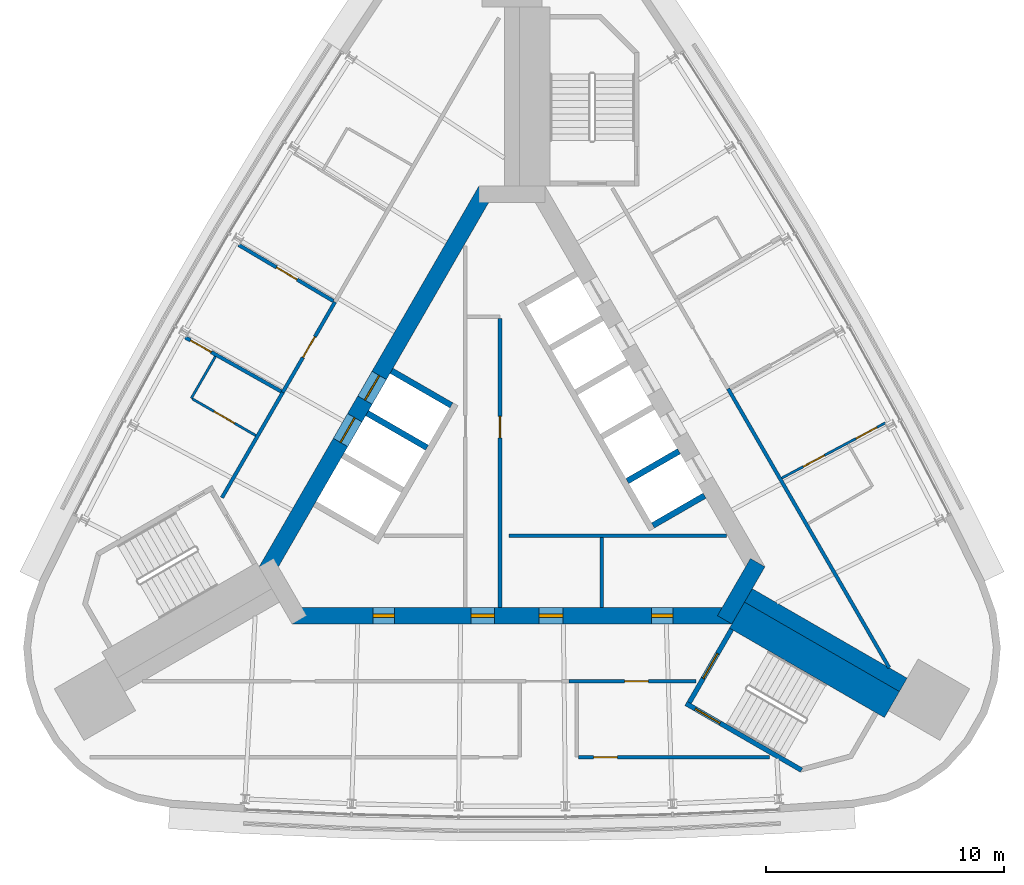
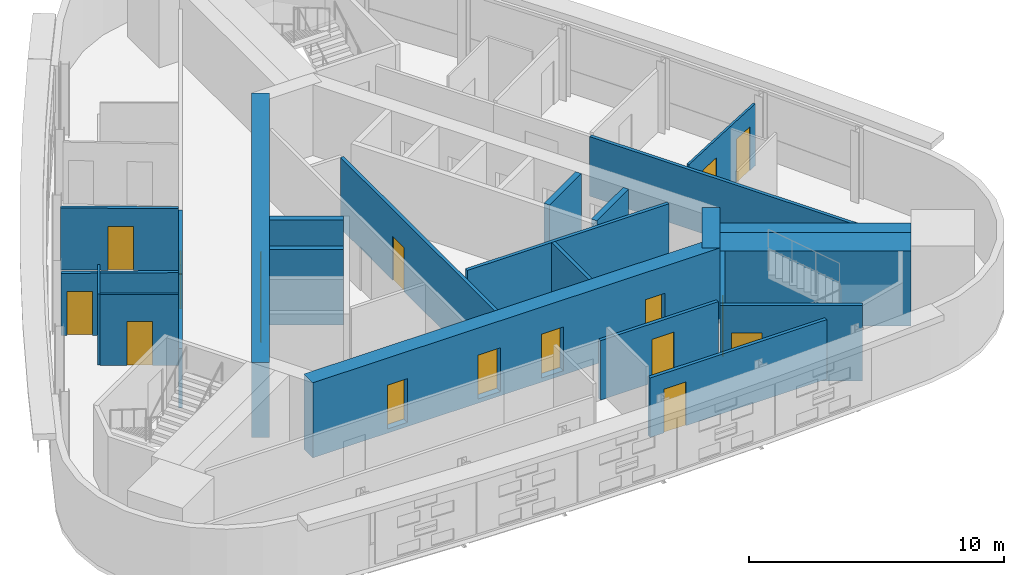
# One storey, part 6 of 9: 24 walls, 17 doors, 17 openings.
"""IFC4 building model written with IfcOpenShell, lengths in metres."""

from ifc_helpers import new_model, si_unit, direction, frame, frame_2d, origin, place, context, subcontext, project, spatial, rectangle, extrude, material, layer, layer_set, type_object, element, fill, save


model = new_model("IFC4")

# Units and contexts
model_context = context("Model", 3, precision=1e-05, world=origin(), true_north=direction((0.0, 1.0)))
body_context = subcontext(model_context, "Body", "Model", "MODEL_VIEW")
ifc_project = project(units=[si_unit("LENGTHUNIT", "METRE"), si_unit("AREAUNIT", "SQUARE_METRE"), si_unit("VOLUMEUNIT", "CUBIC_METRE"), si_unit("PLANEANGLEUNIT", "RADIAN"), si_unit("MASSUNIT", "GRAM", prefix="KILO")], contexts=[model_context])

# Site, building, storey
site_placement = place(None, origin())
site = spatial("IfcSite", under=ifc_project, at=site_placement, CompositionType="ELEMENT")
building_placement = place(site_placement, origin())
building = spatial("IfcBuilding", under=site, at=building_placement, Name="Noor Cloister Tower", CompositionType="ELEMENT")
storey_placement = place(building_placement, frame((0.0, 0.0, 236.39990234375)))
storey = spatial("IfcBuildingStorey", under=building, at=storey_placement, Name="L61", CompositionType="ELEMENT", Elevation=236.39990234375)

# Wall
ifc_material_1 = material(Name="Concrete C60/75", Category="concrete")
ifc_layer_1 = layer(ifc_material_1, 0.64990234375)
ifc_layer_set_1 = layer_set([ifc_layer_1], Name="Buttress wall 650 C60/75")
wall_type_1 = type_object("IfcWallType", Name="Buttress wall 650 C60/75", PredefinedType="SHEAR", material=ifc_layer_set_1)
wall_1_placement = place(storey_placement, frame((9.921630859375, -5.728271484375, -0.199951171875), z_axis=(0.0, 0.0, 1.0), x_axis=(0.866026891245, -0.499997423634, 0.0)))
element("IfcWall", 1, at=wall_1_placement, inside=storey, type_object=wall_type_1, Name="Buttress wall SE L61", PredefinedType="SHEAR", context=body_context, shape_type="SweptSolid", body=[
    extrude(rectangle(XDim=7.50634765625, YDim=0.64990234375, at=frame_2d((3.753173828125, 0.0))), origin(), (0.0, 0.0, 1.0), 3.60009765625),
])

# Wall, opening, door
ifc_material_2 = material(Name="Concrete C30/37", Category="concrete")
ifc_layer_2 = layer(ifc_material_2, 0.14990234375)
ifc_layer_set_2 = layer_set([ifc_layer_2], Name="Core partition 150 C30/37")
wall_type_2 = type_object("IfcWallType", Name="Core partition 150 C30/37", PredefinedType="PARTITIONING", material=ifc_layer_set_2)
wall_2_placement = place(storey_placement, frame((-0.503662109375, 5.896728515625, 0.0), z_axis=(0.0, 0.0, 1.0), x_axis=(0.0, -1.0, 0.0)))
wall_2 = element("IfcWall", 2, at=wall_2_placement, inside=storey, type_object=wall_type_2, Name="Core room partition L61 4", PredefinedType="PARTITIONING", context=body_context, shape_type="SweptSolid", body=[
    extrude(rectangle(XDim=12.125, YDim=0.14990234375, at=frame_2d((6.0625, 0.0))), origin(), (0.0, 0.0, 1.0), 3.400146484375),
])
opening_1_placement = place(wall_2_placement, frame((4.113525390625, 0.0, 0.0)))
opening_1 = element("IfcOpeningElement", 3, at=opening_1_placement, cuts=wall_2, Name="Opening L61-906", PredefinedType="OPENING", context=body_context, shape_type="SweptSolid", body=[
    extrude(rectangle(XDim=0.89990234375, YDim=2.10009765625, at=frame_2d((0.449951171875, 1.050048828125))), frame((0.0, 0.0849609375, 0.0), z_axis=(0.0, -1.0, 0.0), x_axis=(1.0, 0.0, 0.0)), (0.0, 0.0, 1.0), 0.169921875),
])
ifc_material_3 = material(Name="Steel", Category="steel")
door_type_1 = type_object("IfcDoorType", Name="Core door 900 x 2100 FD60", OperationType="SINGLE_SWING_LEFT", PredefinedType="DOOR", material=ifc_material_3)
door_1_placement = place(opening_1_placement, origin())
door_1 = element("IfcDoor", 4, at=door_1_placement, inside=storey, type_object=door_type_1, Name="Core door 6 L61", OperationType="SINGLE_SWING_RIGHT", OverallHeight=2.10009765625, OverallWidth=0.89990234375, PredefinedType="DOOR", context=body_context, shape_type="SweptSolid", body=[
    extrude(rectangle(XDim=0.89990234375, YDim=2.10009765625, at=frame_2d((0.449951171875, 1.050048828125))), frame((0.0, 0.02490234375, 0.0), z_axis=(0.0, -1.0, 0.0), x_axis=(1.0, 0.0, 0.0)), (0.0, 0.0, 1.0), 0.050048828125),
])
fill(opening_1, door_1)

# Walls
wall_3_placement = place(storey_placement, frame((-0.128662109375, -3.228271484375, 0.0), z_axis=(0.0, 0.0, 1.0), x_axis=(1.0, 0.0, 0.0)))
element("IfcWall", 5, at=wall_3_placement, inside=storey, type_object=wall_type_2, Name="Core room partition L61 5", PredefinedType="PARTITIONING", context=body_context, shape_type="SweptSolid", body=[
    extrude(rectangle(XDim=9.13916015625, YDim=0.14990234375, at=frame_2d((4.569580078125, 0.0))), origin(), (0.0, 0.0, 1.0), 3.400146484375),
])
wall_4_placement = place(storey_placement, frame((3.771240234375, -3.30322265625, 0.0), z_axis=(0.0, 0.0, 1.0), x_axis=(0.0, -1.0, 0.0)))
element("IfcWall", 6, at=wall_4_placement, inside=storey, type_object=wall_type_2, Name="Core room partition L61 6", PredefinedType="PARTITIONING", context=body_context, shape_type="SweptSolid", body=[
    extrude(rectangle(XDim=2.925048828125, YDim=0.14990234375, at=frame_2d((1.46240234375, 0.0))), origin(), (0.0, 0.0, 1.0), 3.400146484375),
])

# Wall, openings, doors
ifc_material_4 = material(Name="Concrete C60/75", Category="concrete")
ifc_layer_3 = layer(ifc_material_4, 0.699951171875)
ifc_layer_set_3 = layer_set([ifc_layer_3], Name="Core wall 700 C60/75")
wall_type_3 = type_object("IfcWallType", Name="Core wall 700 C60/75", PredefinedType="SHEAR", material=ifc_layer_set_3)
wall_5_placement = place(storey_placement, frame((-9.228759765625, -6.578125, -0.199951171875), z_axis=(0.0, 0.0, 1.0), x_axis=(1.0, 0.0, 0.0)))
wall_5 = element("IfcWall", 7, at=wall_5_placement, inside=storey, type_object=wall_type_3, Name="Core wall L61 1", PredefinedType="SHEAR", context=body_context, shape_type="SweptSolid", body=[
    extrude(rectangle(XDim=18.45751953125, YDim=0.699951171875, at=frame_2d((9.228759765625, 0.0))), origin(), (0.0, 0.0, 1.0), 3.60009765625),
])
opening_2_placement = place(wall_5_placement, frame((7.5, 0.0, 0.199951171875)))
opening_2 = element("IfcOpeningElement", 8, at=opening_2_placement, cuts=wall_5, Name="Opening L61-901", PredefinedType="OPENING", context=body_context, shape_type="SweptSolid", body=[
    extrude(rectangle(XDim=1.0, YDim=2.10009765625, at=frame_2d((0.5, 1.050048828125))), frame((0.0, 0.35986328125, 0.0), z_axis=(0.0, -1.0, 0.0), x_axis=(1.0, 0.0, 0.0)), (0.0, 0.0, 1.0), 0.719970703125),
])
opening_3_placement = place(wall_5_placement, frame((3.389404296875, 0.0, 0.199951171875)))
opening_3 = element("IfcOpeningElement", 9, at=opening_3_placement, cuts=wall_5, Name="Opening L61-902", PredefinedType="OPENING", context=body_context, shape_type="SweptSolid", body=[
    extrude(rectangle(XDim=0.89990234375, YDim=2.10009765625, at=frame_2d((0.449951171875, 1.050048828125))), frame((0.0, 0.35986328125, 0.0), z_axis=(0.0, -1.0, 0.0), x_axis=(1.0, 0.0, 0.0)), (0.0, 0.0, 1.0), 0.719970703125),
])
opening_4_placement = place(wall_5_placement, frame((10.362548828125, 0.0, 0.199951171875)))
opening_4 = element("IfcOpeningElement", 10, at=opening_4_placement, cuts=wall_5, Name="Opening L61-903", PredefinedType="OPENING", context=body_context, shape_type="SweptSolid", body=[
    extrude(rectangle(XDim=1.0, YDim=2.10009765625, at=frame_2d((0.5, 1.050048828125))), frame((0.0, 0.35986328125, 0.0), z_axis=(0.0, -1.0, 0.0), x_axis=(1.0, 0.0, 0.0)), (0.0, 0.0, 1.0), 0.719970703125),
])
opening_5_placement = place(wall_5_placement, frame((15.07666015625, 0.0, 0.199951171875)))
opening_5 = element("IfcOpeningElement", 11, at=opening_5_placement, cuts=wall_5, Name="Opening L61-904", PredefinedType="OPENING", context=body_context, shape_type="SweptSolid", body=[
    extrude(rectangle(XDim=0.89990234375, YDim=2.10009765625, at=frame_2d((0.449951171875, 1.050048828125))), frame((0.0, 0.35986328125, 0.0), z_axis=(0.0, -1.0, 0.0), x_axis=(1.0, 0.0, 0.0)), (0.0, 0.0, 1.0), 0.719970703125),
])
ifc_material_5 = material(Name="Steel", Category="steel")
door_type_2 = type_object("IfcDoorType", Name="Core door 1000 x 2100 FD120", OperationType="SINGLE_SWING_LEFT", PredefinedType="DOOR", material=ifc_material_5)
door_2_placement = place(opening_2_placement, origin())
door_2 = element("IfcDoor", 12, at=door_2_placement, inside=storey, type_object=door_type_2, Name="Core door 1 L61", OperationType="SINGLE_SWING_LEFT", OverallHeight=2.10009765625, OverallWidth=1.0, PredefinedType="DOOR", context=body_context, shape_type="SweptSolid", body=[
    extrude(rectangle(XDim=1.0, YDim=2.10009765625, at=frame_2d((0.5, 1.050048828125))), frame((0.0, 0.074951171875, 0.0), z_axis=(0.0, -1.0, 0.0), x_axis=(1.0, 0.0, 0.0)), (0.0, 0.0, 1.0), 0.14990234375),
])
fill(opening_2, door_2)
ifc_material_6 = material(Name="Steel", Category="steel")
door_type_3 = type_object("IfcDoorType", Name="Core door 1000 x 2100 FD60", OperationType="SINGLE_SWING_LEFT", PredefinedType="DOOR", material=ifc_material_6)
door_3_placement = place(opening_4_placement, origin())
door_3 = element("IfcDoor", 13, at=door_3_placement, inside=storey, type_object=door_type_3, Name="Core door 3 L61", OperationType="SINGLE_SWING_LEFT", OverallHeight=2.10009765625, OverallWidth=1.0, PredefinedType="DOOR", context=body_context, shape_type="SweptSolid", body=[
    extrude(rectangle(XDim=1.0, YDim=2.10009765625, at=frame_2d((0.5, 1.050048828125))), frame((0.0, 0.074951171875, 0.0), z_axis=(0.0, -1.0, 0.0), x_axis=(1.0, 0.0, 0.0)), (0.0, 0.0, 1.0), 0.14990234375),
])
fill(opening_4, door_3)
ifc_material_7 = material(Name="Steel", Category="steel")
door_type_4 = type_object("IfcDoorType", Name="Core door 900 x 2100 FD120", OperationType="SINGLE_SWING_LEFT", PredefinedType="DOOR", material=ifc_material_7)
door_4_placement = place(opening_3_placement, origin())
door_4 = element("IfcDoor", 14, at=door_4_placement, inside=storey, type_object=door_type_4, Name="Core door 2 L61", OperationType="SINGLE_SWING_RIGHT", OverallHeight=2.10009765625, OverallWidth=0.89990234375, PredefinedType="DOOR", context=body_context, shape_type="SweptSolid", body=[
    extrude(rectangle(XDim=0.89990234375, YDim=2.10009765625, at=frame_2d((0.449951171875, 1.050048828125))), frame((0.0, 0.074951171875, 0.0), z_axis=(0.0, -1.0, 0.0), x_axis=(1.0, 0.0, 0.0)), (0.0, 0.0, 1.0), 0.14990234375),
])
fill(opening_3, door_4)
door_5_placement = place(opening_5_placement, origin())
door_5 = element("IfcDoor", 15, at=door_5_placement, inside=storey, type_object=door_type_1, Name="Core door 4 L61", OperationType="SINGLE_SWING_RIGHT", OverallHeight=2.10009765625, OverallWidth=0.89990234375, PredefinedType="DOOR", context=body_context, shape_type="SweptSolid", body=[
    extrude(rectangle(XDim=0.89990234375, YDim=2.10009765625, at=frame_2d((0.449951171875, 1.050048828125))), frame((0.0, 0.074951171875, 0.0), z_axis=(0.0, -1.0, 0.0), x_axis=(1.0, 0.0, 0.0)), (0.0, 0.0, 1.0), 0.14990234375),
])
fill(opening_5, door_5)

# Wall
wall_6_placement = place(storey_placement, frame((8.925537109375, -6.753173828125, -0.199951171875), z_axis=(0.0, 0.0, 1.0), x_axis=(0.500042739161, 0.866000726912, 0.0)))
element("IfcWall", 16, at=wall_6_placement, inside=storey, type_object=wall_type_3, Name="Core wall L61 2", PredefinedType="SHEAR", context=body_context, shape_type="SweptSolid", body=[
    extrude(rectangle(XDim=2.771240234375, YDim=0.699951171875, at=frame_2d((1.3857421875, 0.0))), origin(), (0.0, 0.0, 1.0), 3.60009765625),
])

# Wall, openings, doors
wall_7_placement = place(storey_placement, frame((-1.08251953125, 11.281494140625, -0.199951171875), z_axis=(0.0, 0.0, 1.0), x_axis=(-0.500001446645, -0.866024568562, 0.0)))
wall_7 = element("IfcWall", 17, at=wall_7_placement, inside=storey, type_object=wall_type_3, Name="Core wall L61 5", PredefinedType="SHEAR", context=body_context, shape_type="SweptSolid", body=[
    extrude(rectangle(XDim=18.45751953125, YDim=0.699951171875, at=frame_2d((9.228759765625, 0.0))), origin(), (0.0, 0.0, 1.0), 3.60009765625),
])
opening_6_placement = place(wall_7_placement, frame((8.978759765625, 0.0, 0.199951171875)))
opening_6 = element("IfcOpeningElement", 18, at=opening_6_placement, cuts=wall_7, Name="Opening L61-FF1", PredefinedType="OPENING", context=body_context, shape_type="SweptSolid", body=[
    extrude(rectangle(XDim=1.199951171875, YDim=2.10009765625, at=frame_2d((0.60009765625, 1.050048828125))), frame((0.0, 0.35986328125, 0.0), z_axis=(0.0, -1.0, 0.0), x_axis=(1.0, 0.0, 0.0)), (0.0, 0.0, 1.0), 0.719970703125),
])
opening_7_placement = place(wall_7_placement, frame((11.02880859375, 0.0, 0.199951171875)))
opening_7 = element("IfcOpeningElement", 19, at=opening_7_placement, cuts=wall_7, Name="Opening L61-FF2", PredefinedType="OPENING", context=body_context, shape_type="SweptSolid", body=[
    extrude(rectangle(XDim=1.199951171875, YDim=2.10009765625, at=frame_2d((0.60009765625, 1.050048828125))), frame((0.0, 0.35986328125, 0.0), z_axis=(0.0, -1.0, 0.0), x_axis=(1.0, 0.0, 0.0)), (0.0, 0.0, 1.0), 0.719970703125),
])
ifc_material_8 = material(Name="Stainless steel", Category="steel")
door_type_5 = type_object("IfcDoorType", Name="Lift landing door 1200 x 2100", OperationType="DOUBLE_DOOR_SLIDING", PredefinedType="DOOR", material=ifc_material_8)
door_6_placement = place(opening_6_placement, origin())
door_6 = element("IfcDoor", 20, at=door_6_placement, inside=storey, type_object=door_type_5, Name="Landing door FF1 L61", OperationType="DOUBLE_DOOR_SLIDING", OverallHeight=2.10009765625, OverallWidth=1.199951171875, PredefinedType="DOOR", context=body_context, shape_type="SweptSolid", body=[
    extrude(rectangle(XDim=1.199951171875, YDim=2.10009765625, at=frame_2d((0.60009765625, 1.050048828125))), frame((0.0, 0.02490234375, 0.0), z_axis=(0.0, -1.0, 0.0), x_axis=(1.0, 0.0, 0.0)), (0.0, 0.0, 1.0), 0.050048828125),
])
fill(opening_6, door_6)
door_7_placement = place(opening_7_placement, origin())
door_7 = element("IfcDoor", 21, at=door_7_placement, inside=storey, type_object=door_type_5, Name="Landing door FF2 L61", OperationType="DOUBLE_DOOR_SLIDING", OverallHeight=2.10009765625, OverallWidth=1.199951171875, PredefinedType="DOOR", context=body_context, shape_type="SweptSolid", body=[
    extrude(rectangle(XDim=1.199951171875, YDim=2.10009765625, at=frame_2d((0.60009765625, 1.050048828125))), frame((0.0, 0.02490234375, 0.0), z_axis=(0.0, -1.0, 0.0), x_axis=(1.0, 0.0, 0.0)), (0.0, 0.0, 1.0), 0.050048828125),
])
fill(opening_7, door_7)

# Wall
ifc_material_9 = material(Name="Fire-rated gypsum board partition on steel studs, 150 mm", Category="steel")
ifc_layer_4 = layer(ifc_material_9, 0.14990234375)
ifc_layer_set_4 = layer_set([ifc_layer_4], Name="Fire lobby wall 150")
wall_type_4 = type_object("IfcWallType", Name="Fire lobby wall 150", PredefinedType="PARTITIONING", material=ifc_layer_set_4)
wall_8_placement = place(storey_placement, frame((-9.619384765625, 2.79541015625, 0.0), z_axis=(0.0, 0.0, 1.0), x_axis=(-0.499963809755, -0.866046297224, 0.0)))
element("IfcWall", 22, at=wall_8_placement, inside=storey, type_object=wall_type_4, Name="Wall L61-W19", PredefinedType="PARTITIONING", context=body_context, shape_type="SweptSolid", body=[
    extrude(rectangle(XDim=5.10791015625, YDim=0.14990234375, at=frame_2d((2.553955078125, 0.0))), origin(), (0.0, 0.0, 1.0), 2.85205078125),
])

# Wall, opening, door
wall_9_placement = place(storey_placement, frame((-7.430419921875, 6.58642578125, 0.0), z_axis=(0.0, 0.0, 1.0), x_axis=(-0.500037854553, -0.866003547345, 0.0)))
wall_9 = element("IfcWall", 23, at=wall_9_placement, inside=storey, type_object=wall_type_4, Name="Wall L61-W22", PredefinedType="PARTITIONING", context=body_context, shape_type="SweptSolid", body=[
    extrude(rectangle(XDim=4.377685546875, YDim=0.14990234375, at=frame_2d((2.18896484375, 0.0))), origin(), (0.0, 0.0, 1.0), 2.85205078125),
])
opening_8_placement = place(wall_9_placement, frame((1.688720703125, 0.0, 0.0)))
opening_8 = element("IfcOpeningElement", 24, at=opening_8_placement, cuts=wall_9, Name="Opening L61-012", PredefinedType="OPENING", context=body_context, shape_type="SweptSolid", body=[
    extrude(rectangle(XDim=1.0, YDim=2.10009765625, at=frame_2d((0.5, 1.050048828125))), frame((0.0, 0.0849609375, 0.0), z_axis=(0.0, -1.0, 0.0), x_axis=(1.0, 0.0, 0.0)), (0.0, 0.0, 1.0), 0.169921875),
])
ifc_material_10 = material(Name="Timber door leaf with steel frame", Category="steel")
door_type_6 = type_object("IfcDoorType", Name="Fire lobby door 1000", OperationType="NOTDEFINED", PredefinedType="DOOR", material=ifc_material_10)
door_8_placement = place(opening_8_placement, origin())
door_8 = element("IfcDoor", 25, at=door_8_placement, inside=storey, type_object=door_type_6, Name="Door L61-012", OperationType="SINGLE_SWING_RIGHT", OverallHeight=2.10009765625, OverallWidth=1.0, PredefinedType="DOOR", context=body_context, shape_type="SweptSolid", body=[
    extrude(rectangle(XDim=1.0, YDim=2.10009765625, at=frame_2d((0.5, 1.050048828125))), frame((0.0, 0.02490234375, 0.0), z_axis=(0.0, -1.0, 0.0), x_axis=(1.0, 0.0, 0.0)), (0.0, 0.0, 1.0), 0.050048828125),
])
fill(opening_8, door_8)

# Wall
ifc_material_11 = material(Name="Gypsum board partition on steel studs, 150 mm", Category="steel")
ifc_layer_5 = layer(ifc_material_11, 0.14990234375)
ifc_layer_set_5 = layer_set([ifc_layer_5], Name="Flat wall 150")
wall_type_5 = type_object("IfcWallType", Name="Flat wall 150", PredefinedType="PARTITIONING", material=ifc_layer_set_5)
wall_10_placement = place(storey_placement, frame((15.83203125, -8.765380859375, 0.0), z_axis=(0.0, 0.0, 1.0), x_axis=(-0.500008967739, 0.866020226196, 0.0)))
element("IfcWall", 26, at=wall_10_placement, inside=storey, type_object=wall_type_5, Name="Wall L61-W01", PredefinedType="PARTITIONING", context=body_context, shape_type="SweptSolid", body=[
    extrude(rectangle(XDim=13.522705078125, YDim=0.14990234375, at=frame_2d((6.76123046875, 0.0))), origin(), (0.0, 0.0, 1.0), 2.85205078125),
])

# Wall, opening, door
wall_11_placement = place(storey_placement, frame((2.38427734375, -9.328125, 0.0), z_axis=(0.0, 0.0, 1.0), x_axis=(1.0, 0.0, 0.0)))
wall_11 = element("IfcWall", 27, at=wall_11_placement, inside=storey, type_object=wall_type_5, Name="Wall L61-W12", PredefinedType="PARTITIONING", context=body_context, shape_type="SweptSolid", body=[
    extrude(rectangle(XDim=5.34326171875, YDim=0.14990234375, at=frame_2d((2.671630859375, 0.0))), origin(), (0.0, 0.0, 1.0), 2.85205078125),
])
opening_9_placement = place(wall_11_placement, frame((2.340576171875, 0.0, 0.0)))
opening_9 = element("IfcOpeningElement", 28, at=opening_9_placement, cuts=wall_11, Name="Opening L61-011", PredefinedType="OPENING", context=body_context, shape_type="SweptSolid", body=[
    extrude(rectangle(XDim=1.0, YDim=2.10009765625, at=frame_2d((0.5, 1.050048828125))), frame((0.0, 0.0849609375, 0.0), z_axis=(0.0, -1.0, 0.0), x_axis=(1.0, 0.0, 0.0)), (0.0, 0.0, 1.0), 0.169921875),
])
ifc_material_12 = material(Name="Timber door leaf with steel frame", Category="steel")
door_type_7 = type_object("IfcDoorType", Name="Interior door 1000 FD60", OperationType="NOTDEFINED", PredefinedType="DOOR", material=ifc_material_12)
door_9_placement = place(opening_9_placement, origin())
door_9 = element("IfcDoor", 29, at=door_9_placement, inside=storey, type_object=door_type_7, Name="Door L61-011", OperationType="SINGLE_SWING_LEFT", OverallHeight=2.10009765625, OverallWidth=1.0, PredefinedType="DOOR", context=body_context, shape_type="SweptSolid", body=[
    extrude(rectangle(XDim=1.0, YDim=2.10009765625, at=frame_2d((0.5, 1.050048828125))), frame((0.0, 0.02490234375, 0.0), z_axis=(0.0, -1.0, 0.0), x_axis=(1.0, 0.0, 0.0)), (0.0, 0.0, 1.0), 0.050048828125),
])
fill(opening_9, door_9)

wall_12_placement = place(storey_placement, frame((2.796875, -12.51708984375, 0.0), z_axis=(0.0, 0.0, 1.0), x_axis=(1.0, 0.0, 0.0)))
wall_12 = element("IfcWall", 30, at=wall_12_placement, inside=storey, type_object=wall_type_5, Name="Wall L61-W17", PredefinedType="PARTITIONING", context=body_context, shape_type="SweptSolid", body=[
    extrude(rectangle(XDim=8.011962890625, YDim=0.14990234375, at=frame_2d((4.005859375, 0.0))), origin(), (0.0, 0.0, 1.0), 2.85205078125),
])
opening_10_placement = place(wall_12_placement, frame((0.625, 0.0, 0.0)))
opening_10 = element("IfcOpeningElement", 31, at=opening_10_placement, cuts=wall_12, Name="Opening L61-010", PredefinedType="OPENING", context=body_context, shape_type="SweptSolid", body=[
    extrude(rectangle(XDim=1.0, YDim=2.10009765625, at=frame_2d((0.5, 1.050048828125))), frame((0.0, 0.0849609375, 0.0), z_axis=(0.0, -1.0, 0.0), x_axis=(1.0, 0.0, 0.0)), (0.0, 0.0, 1.0), 0.169921875),
])
door_10_placement = place(opening_10_placement, origin())
door_10 = element("IfcDoor", 32, at=door_10_placement, inside=storey, type_object=door_type_7, Name="Door L61-010", OperationType="SINGLE_SWING_RIGHT", OverallHeight=2.10009765625, OverallWidth=1.0, PredefinedType="DOOR", context=body_context, shape_type="SweptSolid", body=[
    extrude(rectangle(XDim=1.0, YDim=2.10009765625, at=frame_2d((0.5, 1.050048828125))), frame((0.0, 0.02490234375, 0.0), z_axis=(0.0, -1.0, 0.0), x_axis=(1.0, 0.0, 0.0)), (0.0, 0.0, 1.0), 0.050048828125),
])
fill(opening_10, door_10)

wall_13_placement = place(storey_placement, frame((-11.47216796875, 8.981201171875, 0.0), z_axis=(0.0, 0.0, 1.0), x_axis=(0.860336137803, -0.509727113257, 0.0)))
wall_13 = element("IfcWall", 33, at=wall_13_placement, inside=storey, type_object=wall_type_5, Name="Wall L61-W20", PredefinedType="PARTITIONING", context=body_context, shape_type="SweptSolid", body=[
    extrude(rectangle(XDim=4.623046875, YDim=0.14990234375, at=frame_2d((2.3115234375, 0.0))), origin(), (0.0, 0.0, 1.0), 2.97412109375),
])
opening_11_placement = place(wall_13_placement, frame((1.848876953125, 0.0, 0.0)))
opening_11 = element("IfcOpeningElement", 34, at=opening_11_placement, cuts=wall_13, Name="Opening L61-015", PredefinedType="OPENING", context=body_context, shape_type="SweptSolid", body=[
    extrude(rectangle(XDim=1.0, YDim=2.10009765625, at=frame_2d((0.5, 1.050048828125))), frame((0.0, 0.0849609375, 0.0), z_axis=(0.0, -1.0, 0.0), x_axis=(1.0, 0.0, 0.0)), (0.0, 0.0, 1.0), 0.169921875),
])
ifc_material_13 = material(Name="Timber door leaf with steel frame", Category="steel")
door_type_8 = type_object("IfcDoorType", Name="Flat entrance door 1000", OperationType="NOTDEFINED", PredefinedType="DOOR", material=ifc_material_13)
door_11_placement = place(opening_11_placement, origin())
door_11 = element("IfcDoor", 35, at=door_11_placement, inside=storey, type_object=door_type_8, Name="Door L61-015", OperationType="SINGLE_SWING_LEFT", OverallHeight=2.10009765625, OverallWidth=1.0, PredefinedType="DOOR", context=body_context, shape_type="SweptSolid", body=[
    extrude(rectangle(XDim=1.0, YDim=2.10009765625, at=frame_2d((0.5, 1.050048828125))), frame((0.0, 0.02490234375, 0.0), z_axis=(0.0, -1.0, 0.0), x_axis=(1.0, 0.0, 0.0)), (0.0, 0.0, 1.0), 0.050048828125),
])
fill(opening_11, door_11)

wall_14_placement = place(storey_placement, frame((-13.710205078125, 5.095703125, 0.0), z_axis=(0.0, 0.0, 1.0), x_axis=(0.871644704197, -0.490138255644, 0.0)))
wall_14 = element("IfcWall", 36, at=wall_14_placement, inside=storey, type_object=wall_type_5, Name="Wall L61-W21", PredefinedType="PARTITIONING", context=body_context, shape_type="SweptSolid", body=[
    extrude(rectangle(XDim=4.618408203125, YDim=0.14990234375, at=frame_2d((2.30908203125, 0.0))), origin(), (0.0, 0.0, 1.0), 2.97412109375),
])
opening_12_placement = place(wall_14_placement, frame((0.24658203125, 0.0, 0.0)))
opening_12 = element("IfcOpeningElement", 37, at=opening_12_placement, cuts=wall_14, Name="Opening L61-017", PredefinedType="OPENING", context=body_context, shape_type="SweptSolid", body=[
    extrude(rectangle(XDim=1.0, YDim=2.10009765625, at=frame_2d((0.5, 1.050048828125))), frame((0.0, 0.0849609375, 0.0), z_axis=(0.0, -1.0, 0.0), x_axis=(1.0, 0.0, 0.0)), (0.0, 0.0, 1.0), 0.169921875),
])
door_12_placement = place(opening_12_placement, origin())
door_12 = element("IfcDoor", 38, at=door_12_placement, inside=storey, type_object=door_type_8, Name="Door L61-017", OperationType="SINGLE_SWING_LEFT", OverallHeight=2.10009765625, OverallWidth=1.0, PredefinedType="DOOR", context=body_context, shape_type="SweptSolid", body=[
    extrude(rectangle(XDim=1.0, YDim=2.10009765625, at=frame_2d((0.5, 1.050048828125))), frame((0.0, 0.02490234375, 0.0), z_axis=(0.0, -1.0, 0.0), x_axis=(1.0, 0.0, 0.0)), (0.0, 0.0, 1.0), 0.050048828125),
])
fill(opening_12, door_12)

# Wall, openings, doors
ifc_material_14 = material(Name="Gypsum board partition on steel studs, 100 mm", Category="steel")
ifc_layer_6 = layer(ifc_material_14, 0.10009765625)
ifc_layer_set_6 = layer_set([ifc_layer_6], Name="Partition 100")
wall_type_6 = type_object("IfcWallType", Name="Partition 100", PredefinedType="PARTITIONING", material=ifc_layer_set_6)
wall_15_placement = place(storey_placement, frame((15.671630859375, 1.513671875, 0.0), z_axis=(0.0, 0.0, 1.0), x_axis=(-0.882503735513, -0.47030538675, 0.0)))
wall_15 = element("IfcWall", 39, at=wall_15_placement, inside=storey, type_object=wall_type_6, Name="Wall L61-W06", PredefinedType="PARTITIONING", context=body_context, shape_type="SweptSolid", body=[
    extrude(rectangle(XDim=4.928466796875, YDim=0.10009765625, at=frame_2d((2.46435546875, 0.0))), origin(), (0.0, 0.0, 1.0), 2.97412109375),
])
opening_13_placement = place(wall_15_placement, frame((0.40087890625, 0.0, 0.0)))
opening_13 = element("IfcOpeningElement", 40, at=opening_13_placement, cuts=wall_15, Name="Opening L61-002", PredefinedType="OPENING", context=body_context, shape_type="SweptSolid", body=[
    extrude(rectangle(XDim=1.0, YDim=2.10009765625, at=frame_2d((0.5, 1.050048828125))), frame((0.0, 0.06005859375, 0.0), z_axis=(0.0, -1.0, 0.0), x_axis=(1.0, 0.0, 0.0)), (0.0, 0.0, 1.0), 0.1201171875),
])
opening_14_placement = place(wall_15_placement, frame((2.902587890625, 0.0, 0.0)))
opening_14 = element("IfcOpeningElement", 41, at=opening_14_placement, cuts=wall_15, Name="Opening L61-003", PredefinedType="OPENING", context=body_context, shape_type="SweptSolid", body=[
    extrude(rectangle(XDim=1.0, YDim=2.10009765625, at=frame_2d((0.5, 1.050048828125))), frame((0.0, 0.06005859375, 0.0), z_axis=(0.0, -1.0, 0.0), x_axis=(1.0, 0.0, 0.0)), (0.0, 0.0, 1.0), 0.1201171875),
])
ifc_material_15 = material(Name="Timber door leaf with steel frame", Category="steel")
door_type_9 = type_object("IfcDoorType", Name="Interior door 1000", OperationType="NOTDEFINED", PredefinedType="DOOR", material=ifc_material_15)
door_13_placement = place(opening_13_placement, origin())
door_13 = element("IfcDoor", 42, at=door_13_placement, inside=storey, type_object=door_type_9, Name="Door L61-002", OperationType="SINGLE_SWING_RIGHT", OverallHeight=2.10009765625, OverallWidth=1.0, PredefinedType="DOOR", context=body_context, shape_type="SweptSolid", body=[
    extrude(rectangle(XDim=1.0, YDim=2.10009765625, at=frame_2d((0.5, 1.050048828125))), frame((0.0, 0.02490234375, 0.0), z_axis=(0.0, -1.0, 0.0), x_axis=(1.0, 0.0, 0.0)), (0.0, 0.0, 1.0), 0.050048828125),
])
fill(opening_13, door_13)
door_14_placement = place(opening_14_placement, origin())
door_14 = element("IfcDoor", 43, at=door_14_placement, inside=storey, type_object=door_type_9, Name="Door L61-003", OperationType="SINGLE_SWING_LEFT", OverallHeight=2.10009765625, OverallWidth=1.0, PredefinedType="DOOR", context=body_context, shape_type="SweptSolid", body=[
    extrude(rectangle(XDim=1.0, YDim=2.10009765625, at=frame_2d((0.5, 1.050048828125))), frame((0.0, 0.02490234375, 0.0), z_axis=(0.0, -1.0, 0.0), x_axis=(1.0, 0.0, 0.0)), (0.0, 0.0, 1.0), 0.050048828125),
])
fill(opening_14, door_14)

# Wall
wall_16_placement = place(storey_placement, frame((-12.4462890625, 4.299072265625, 0.0), z_axis=(0.0, 0.0, 1.0), x_axis=(-0.499938124251, -0.866061124818, 0.0)))
element("IfcWall", 44, at=wall_16_placement, inside=storey, type_object=wall_type_6, Name="Wall L61-W26", PredefinedType="PARTITIONING", context=body_context, shape_type="SweptSolid", body=[
    extrude(rectangle(XDim=2.025146484375, YDim=0.10009765625, at=frame_2d((1.0126953125, 0.0))), origin(), (0.0, 0.0, 1.0), 3.400146484375),
])

# Wall, opening, door
wall_17_placement = place(storey_placement, frame((-13.415283203125, 2.520263671875, 0.0), z_axis=(0.0, 0.0, 1.0), x_axis=(0.865996501658, -0.50005005661, 0.0)))
wall_17 = element("IfcWall", 45, at=wall_17_placement, inside=storey, type_object=wall_type_6, Name="Wall L61-W27", PredefinedType="PARTITIONING", context=body_context, shape_type="SweptSolid", body=[
    extrude(rectangle(XDim=3.074951171875, YDim=0.10009765625, at=frame_2d((1.53759765625, 0.0))), origin(), (0.0, 0.0, 1.0), 3.400146484375),
])
opening_15_placement = place(wall_17_placement, frame((1.050048828125, 0.0, 0.0)))
opening_15 = element("IfcOpeningElement", 46, at=opening_15_placement, cuts=wall_17, Name="Opening L61-016", PredefinedType="OPENING", context=body_context, shape_type="SweptSolid", body=[
    extrude(rectangle(XDim=1.0, YDim=2.10009765625, at=frame_2d((0.5, 1.050048828125))), frame((0.0, 0.06005859375, 0.0), z_axis=(0.0, -1.0, 0.0), x_axis=(1.0, 0.0, 0.0)), (0.0, 0.0, 1.0), 0.1201171875),
])
door_15_placement = place(opening_15_placement, origin())
door_15 = element("IfcDoor", 47, at=door_15_placement, inside=storey, type_object=door_type_9, Name="Door L61-016", OperationType="SINGLE_SWING_RIGHT", OverallHeight=2.10009765625, OverallWidth=1.0, PredefinedType="DOOR", context=body_context, shape_type="SweptSolid", body=[
    extrude(rectangle(XDim=1.0, YDim=2.10009765625, at=frame_2d((0.5, 1.050048828125))), frame((0.0, 0.02490234375, 0.0), z_axis=(0.0, -1.0, 0.0), x_axis=(1.0, 0.0, 0.0)), (0.0, 0.0, 1.0), 0.050048828125),
])
fill(opening_15, door_15)

# Walls
ifc_material_16 = material(Name="Concrete C60/75", Category="concrete")
ifc_layer_7 = layer(ifc_material_16, 0.25)
ifc_layer_set_7 = layer_set([ifc_layer_7], Name="Shaft wall 250 C60/75")
wall_type_7 = type_object("IfcWallType", Name="Shaft wall 250 C60/75", PredefinedType="PARTITIONING", material=ifc_layer_set_7)
for number, where, z_axis, x_axis, name in (
    (48, (8.081298828125, -1.540771484375, -0.199951171875), (0.0, 0.0, 1.0), (-0.866022959057, -0.500004234368, 0.0), "Lift shaft wall L61 NE 1"),
    (49, (7.00634765625, 0.3212890625, -0.199951171875), (0.0, 0.0, 1.0), (-0.866022959057, -0.500004234368, 0.0), "Lift shaft wall L61 NE 2"),
):
    element("IfcWall", number, at=place(storey_placement, frame(where, z_axis=z_axis, x_axis=x_axis)), inside=storey, type_object=wall_type_7, Name=name, PredefinedType="PARTITIONING", context=body_context, shape_type="SweptSolid", body=[
        extrude(rectangle(XDim=2.5, YDim=0.25, at=frame_2d((1.25, 0.0))), origin(), (0.0, 0.0, 1.0), 3.60009765625),
    ])
for number, where, z_axis, x_axis, name in (
    (50, (-5.056396484375, 3.69873046875, -0.199951171875), (0.0, 0.0, 1.0), (0.866032775405, -0.499987231761, 0.0), "Lift shaft wall L61 NW 3"),
    (51, (-6.081298828125, 1.92333984375, -0.199951171875), (0.0, 0.0, 1.0), (0.866032775405, -0.499987231761, 0.0), "Lift shaft wall L61 NW 4"),
):
    element("IfcWall", number, at=place(storey_placement, frame(where, z_axis=z_axis, x_axis=x_axis)), inside=storey, type_object=wall_type_7, Name=name, PredefinedType="PARTITIONING", context=body_context, shape_type="SweptSolid", body=[
        extrude(rectangle(XDim=2.89990234375, YDim=0.25, at=frame_2d((1.449951171875, 0.0))), origin(), (0.0, 0.0, 1.0), 3.60009765625),
    ])
ifc_material_17 = material(Name="Concrete C60/75", Category="concrete")
ifc_layer_8 = layer(ifc_material_17, 1.260986328125)
ifc_layer_set_8 = layer_set([ifc_layer_8], Name="Stair enclosure wall 1261 C60/75")
wall_type_8 = type_object("IfcWallType", Name="Stair enclosure wall 1261 C60/75", PredefinedType="SHEAR", material=ifc_layer_set_8)
wall_18_placement = place(storey_placement, frame((9.44384765625, -6.555419921875, -0.199951171875), z_axis=(0.0, 0.0, 1.0), x_axis=(0.866020939036, -0.500007733091, 0.0)))
element("IfcWall", 52, at=wall_18_placement, inside=storey, type_object=wall_type_8, Name="Stair enclosure wall ST3 L61 riser side", PredefinedType="SHEAR", context=body_context, shape_type="SweptSolid", body=[
    extrude(rectangle(XDim=7.5068359375, YDim=1.2607421875, at=frame_2d((3.75341796875, 0.0))), origin(), (0.0, 0.0, 1.0), 3.60009765625),
])

# Wall, opening, door
ifc_material_18 = material(Name="Concrete C60/75", Category="concrete")
ifc_layer_9 = layer(ifc_material_18, 0.199951171875)
ifc_layer_set_9 = layer_set([ifc_layer_9], Name="Stair enclosure wall 200 C60/75")
wall_type_9 = type_object("IfcWallType", Name="Stair enclosure wall 200 C60/75", PredefinedType="SHEAR", material=ifc_layer_set_9)
wall_19_placement = place(storey_placement, frame((7.440185546875, -10.225830078125, -0.199951171875), z_axis=(0.0, 0.0, 1.0), x_axis=(0.500022077904, 0.866012656725, 0.0)))
wall_19 = element("IfcWall", 53, at=wall_19_placement, inside=storey, type_object=wall_type_9, Name="Stair enclosure wall ST3 L61 near end", PredefinedType="SHEAR", context=body_context, shape_type="SweptSolid", body=[
    extrude(rectangle(XDim=3.550048828125, YDim=0.199951171875, at=frame_2d((1.77490234375, 0.0))), origin(), (0.0, 0.0, 1.0), 3.60009765625),
])
opening_16_placement = place(wall_19_placement, frame((1.175048828125, 0.0, 0.199951171875)))
opening_16 = element("IfcOpeningElement", 54, at=opening_16_placement, cuts=wall_19, Name="Opening L61-ST3L", PredefinedType="OPENING", context=body_context, shape_type="SweptSolid", body=[
    extrude(rectangle(XDim=1.199951171875, YDim=2.10009765625, at=frame_2d((0.60009765625, 1.050048828125))), frame((0.0, 0.10986328125, 0.0), z_axis=(0.0, -1.0, 0.0), x_axis=(1.0, 0.0, 0.0)), (0.0, 0.0, 1.0), 0.219970703125),
])
ifc_material_19 = material(Name="Steel", Category="steel")
door_type_10 = type_object("IfcDoorType", Name="Stair door 1200 x 2100 FD120", OperationType="SINGLE_SWING_LEFT", PredefinedType="DOOR", material=ifc_material_19)
door_16_placement = place(opening_16_placement, origin())
door_16 = element("IfcDoor", 55, at=door_16_placement, inside=storey, type_object=door_type_10, Name="Stair door ST3 L61", OperationType="SINGLE_SWING_RIGHT", OverallHeight=2.10009765625, OverallWidth=1.199951171875, PredefinedType="DOOR", context=body_context, shape_type="SweptSolid", body=[
    extrude(rectangle(XDim=1.199951171875, YDim=2.10009765625, at=frame_2d((0.60009765625, 1.050048828125))), frame((0.0, 0.02490234375, 0.0), z_axis=(0.0, -1.0, 0.0), x_axis=(1.0, 0.0, 0.0)), (0.0, 0.0, 1.0), 0.050048828125),
])
fill(opening_16, door_16)

wall_20_placement = place(storey_placement, frame((7.3037109375, -10.262451171875, -0.199951171875), z_axis=(0.0, 0.0, 1.0), x_axis=(0.866026594901, -0.49999793692, 0.0)))
wall_20 = element("IfcWall", 56, at=wall_20_placement, inside=storey, type_object=wall_type_9, Name="Stair enclosure wall ST3 L61 outer side", PredefinedType="SHEAR", context=body_context, shape_type="SweptSolid", body=[
    extrude(rectangle(XDim=5.60009765625, YDim=0.199951171875, at=frame_2d((2.800048828125, 0.0))), origin(), (0.0, 0.0, 1.0), 3.60009765625),
])
opening_17_placement = place(wall_20_placement, frame((0.449951171875, 0.0, 0.199951171875)))
opening_17 = element("IfcOpeningElement", 57, at=opening_17_placement, cuts=wall_20, Name="Opening L61-ST3C", PredefinedType="OPENING", context=body_context, shape_type="SweptSolid", body=[
    extrude(rectangle(XDim=1.199951171875, YDim=2.10009765625, at=frame_2d((0.60009765625, 1.050048828125))), frame((0.0, 0.10986328125, 0.0), z_axis=(0.0, -1.0, 0.0), x_axis=(1.0, 0.0, 0.0)), (0.0, 0.0, 1.0), 0.219970703125),
])
door_17_placement = place(opening_17_placement, origin())
door_17 = element("IfcDoor", 58, at=door_17_placement, inside=storey, type_object=door_type_10, Name="Stair door ST3 L61", OperationType="SINGLE_SWING_LEFT", OverallHeight=2.10009765625, OverallWidth=1.199951171875, PredefinedType="DOOR", context=body_context, shape_type="SweptSolid", body=[
    extrude(rectangle(XDim=1.199951171875, YDim=2.10009765625, at=frame_2d((0.60009765625, 1.050048828125))), frame((0.0, 0.02490234375, 0.0), z_axis=(0.0, -1.0, 0.0), x_axis=(1.0, 0.0, 0.0)), (0.0, 0.0, 1.0), 0.050048828125),
])
fill(opening_17, door_17)

save(model, "model.ifc")
